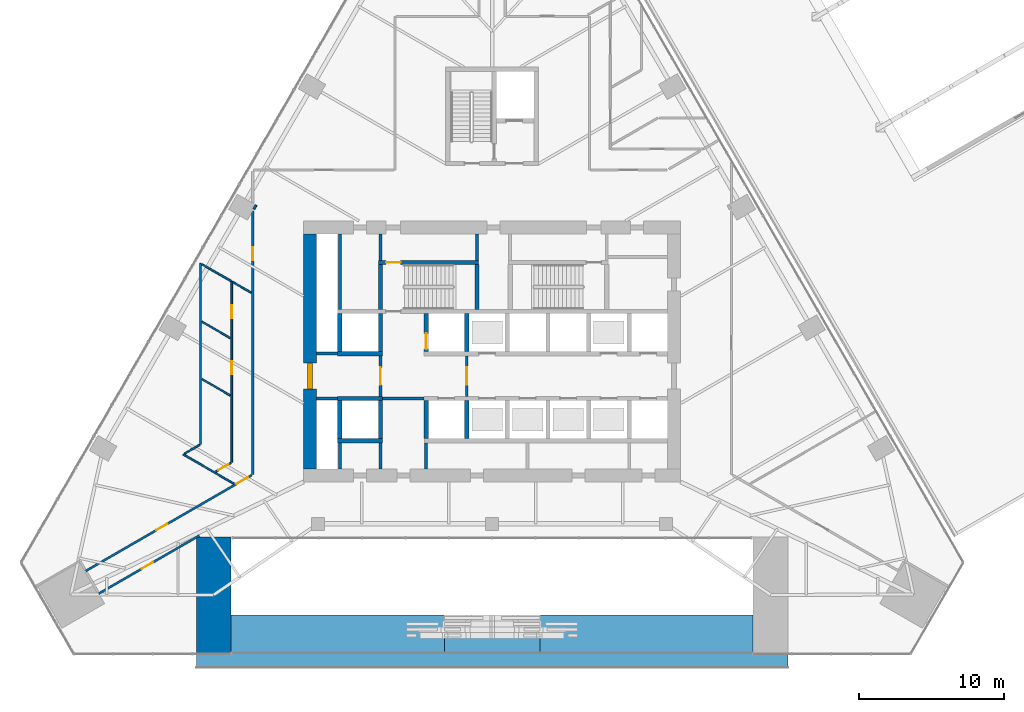
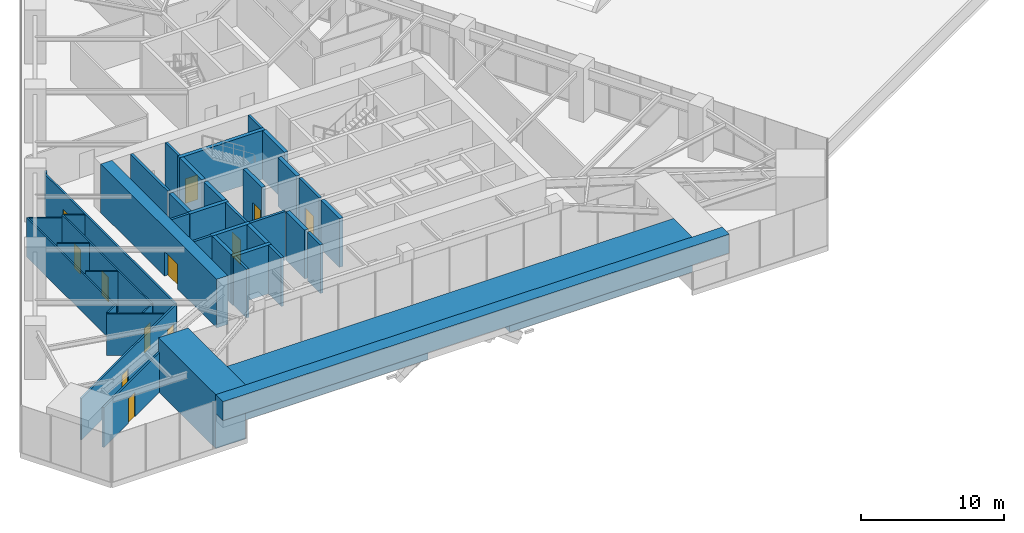
# One storey, part 18 of 23: 44 walls, 12 doors, 12 openings.
"""IFC4 building model written with IfcOpenShell, lengths in metres."""

from ifc_helpers import new_model, si_unit, direction, frame, frame_2d, origin, place, context, subcontext, project, spatial, rectangle, extrude, material, layer, layer_set, type_object, element, fill, save


model = new_model("IFC4")

# Units and contexts
model_context = context("Model", 3, precision=1e-05, world=origin(), true_north=direction((0.0, 1.0)))
body_context = subcontext(model_context, "Body", "Model", "MODEL_VIEW")
ifc_project = project(units=[si_unit("LENGTHUNIT", "METRE"), si_unit("AREAUNIT", "SQUARE_METRE"), si_unit("VOLUMEUNIT", "CUBIC_METRE"), si_unit("PLANEANGLEUNIT", "RADIAN"), si_unit("MASSUNIT", "GRAM", prefix="KILO")], contexts=[model_context])

# Site, building, storey
site_placement = place(None, origin())
site = spatial("IfcSite", under=ifc_project, at=site_placement, CompositionType="ELEMENT")
building_placement = place(site_placement, origin())
building = spatial("IfcBuilding", under=site, at=building_placement, Name="Firuza Gate Tower and Library", CompositionType="ELEMENT")
storey_placement = place(building_placement, frame((0.0, 0.0, 26.39990234375)))
storey = spatial("IfcBuildingStorey", under=building, at=storey_placement, Name="L05", CompositionType="ELEMENT", Elevation=26.39990234375)

# Walls
ifc_material_1 = material(Name="Plasterboard on steel studs", Category="steel")
ifc_layer_1 = layer(ifc_material_1, 0.199951171875)
ifc_layer_set_1 = layer_set([ifc_layer_1], Name="Core partition 200 EI 120")
wall_type_1 = type_object("IfcWallType", Name="Core partition 200 EI 120", PredefinedType="PARTITIONING", material=ifc_layer_set_1)
wall_1_placement = place(storey_placement, frame((62.89990234375, 71.75, 0.0), z_axis=(0.0, 0.0, 1.0), x_axis=(1.0, 0.0, 0.0)))
element("IfcWall", 1, at=wall_1_placement, inside=storey, type_object=wall_type_1, Name="Core partition L05 1", PredefinedType="PARTITIONING", context=body_context, shape_type="SweptSolid", body=[
    extrude(rectangle(XDim=1.4501953125, YDim=0.199951171875, at=frame_2d((0.72509765625, 0.0))), origin(), (0.0, 0.0, 1.0), 4.150146484375),
])
wall_2_placement = place(storey_placement, frame((67.449951171875, 71.75, 0.0), z_axis=(0.0, 0.0, 1.0), x_axis=(1.0, 0.0, 0.0)))
element("IfcWall", 2, at=wall_2_placement, inside=storey, type_object=wall_type_1, Name="Core partition L05 2", PredefinedType="PARTITIONING", context=body_context, shape_type="SweptSolid", body=[
    extrude(rectangle(XDim=2.85009765625, YDim=0.199951171875, at=frame_2d((1.425048828125, 0.0))), origin(), (0.0, 0.0, 1.0), 4.150146484375),
])
wall_3_placement = place(storey_placement, frame((62.89990234375, 74.85009765625, 0.0), z_axis=(0.0, 0.0, 1.0), x_axis=(1.0, 0.0, 0.0)))
element("IfcWall", 3, at=wall_3_placement, inside=storey, type_object=wall_type_1, Name="Core partition L05 3", PredefinedType="PARTITIONING", context=body_context, shape_type="SweptSolid", body=[
    extrude(rectangle(XDim=1.4501953125, YDim=0.199951171875, at=frame_2d((0.72509765625, 0.0))), origin(), (0.0, 0.0, 1.0), 4.150146484375),
])
wall_4_placement = place(storey_placement, frame((64.5, 66.89990234375, 0.0), z_axis=(0.0, 0.0, 1.0), x_axis=(0.0, 1.0, 0.0)))
element("IfcWall", 4, at=wall_4_placement, inside=storey, type_object=wall_type_1, Name="Core partition L05 5", PredefinedType="PARTITIONING", context=body_context, shape_type="SweptSolid", body=[
    extrude(rectangle(XDim=1.800048828125, YDim=0.199951171875, at=frame_2d((0.89990234375, 0.0))), origin(), (0.0, 0.0, 1.0), 4.150146484375),
])
wall_5_placement = place(storey_placement, frame((64.5, 77.89990234375, 0.0), z_axis=(0.0, 0.0, 1.0), x_axis=(0.0, 1.0, 0.0)))
element("IfcWall", 5, at=wall_5_placement, inside=storey, type_object=wall_type_1, Name="Core partition L05 6", PredefinedType="PARTITIONING", context=body_context, shape_type="SweptSolid", body=[
    extrude(rectangle(XDim=5.2001953125, YDim=0.199951171875, at=frame_2d((2.60009765625, 0.0))), origin(), (0.0, 0.0, 1.0), 4.150146484375),
])
for number, where, z_axis, x_axis, name in (
    (6, (67.300048828125, 66.89990234375, 0.0), (0.0, 0.0, 1.0), (0.0, 1.0, 0.0), "Core partition L05 7"),
    (7, (70.449951171875, 66.89990234375, 0.0), (0.0, 0.0, 1.0), (0.0, 1.0, 0.0), "Core partition L05 10"),
):
    element("IfcWall", number, at=place(storey_placement, frame(where, z_axis=z_axis, x_axis=x_axis)), inside=storey, type_object=wall_type_1, Name=name, PredefinedType="PARTITIONING", context=body_context, shape_type="SweptSolid", body=[
        extrude(rectangle(XDim=1.800048828125, YDim=0.199951171875, at=frame_2d((0.89990234375, 0.0))), origin(), (0.0, 0.0, 1.0), 4.150146484375),
    ])

# Wall, opening, door
ifc_material_2 = material(Name="Plasterboard on steel studs", Category="steel")
ifc_layer_2 = layer(ifc_material_2, 0.199951171875)
ifc_layer_set_2 = layer_set([ifc_layer_2], Name="Core partition 200 EI 60")
wall_type_2 = type_object("IfcWallType", Name="Core partition 200 EI 60", PredefinedType="PARTITIONING", material=ifc_layer_set_2)
wall_6_placement = place(storey_placement, frame((67.300048828125, 71.89990234375, 0.0), z_axis=(0.0, 0.0, 1.0), x_axis=(0.0, 1.0, 0.0)))
wall_6 = element("IfcWall", 8, at=wall_6_placement, inside=storey, type_object=wall_type_2, Name="Core partition L05 8", PredefinedType="PARTITIONING", context=body_context, shape_type="SweptSolid", body=[
    extrude(rectangle(XDim=2.800048828125, YDim=0.199951171875, at=frame_2d((1.39990234375, 0.0))), origin(), (0.0, 0.0, 1.0), 4.150146484375),
])
opening_1_placement = place(wall_6_placement, frame((0.800048828125, 0.0, 0.0)))
opening_1 = element("IfcOpeningElement", 9, at=opening_1_placement, cuts=wall_6, Name="Opening L05-K21", PredefinedType="OPENING", context=body_context, shape_type="SweptSolid", body=[
    extrude(rectangle(XDim=1.199951171875, YDim=2.10009765625, at=frame_2d((0.60009765625, 1.050048828125))), frame((0.0, 0.10986328125, 0.0), z_axis=(0.0, -1.0, 0.0), x_axis=(1.0, 0.0, 0.0)), (0.0, 0.0, 1.0), 0.219970703125),
])
ifc_material_3 = material(Name="Steel", Category="steel")
door_type_1 = type_object("IfcDoorType", Name="Fire door 1200x2100 FD90S", OperationType="NOTDEFINED", PredefinedType="DOOR", material=ifc_material_3)
door_1_placement = place(opening_1_placement, origin())
door_1 = element("IfcDoor", 10, at=door_1_placement, inside=storey, type_object=door_type_1, Name="Door L05-K21", OperationType="SINGLE_SWING_RIGHT", OverallHeight=2.10009765625, OverallWidth=1.199951171875, PredefinedType="DOOR", context=body_context, shape_type="SweptSolid", body=[
    extrude(rectangle(XDim=1.199951171875, YDim=2.10009765625, at=frame_2d((0.60009765625, 1.050048828125))), frame((0.0, 0.02490234375, 0.0), z_axis=(0.0, -1.0, 0.0), x_axis=(1.0, 0.0, 0.0)), (0.0, 0.0, 1.0), 0.050048828125),
])
fill(opening_1, door_1)

# Wall
wall_7_placement = place(storey_placement, frame((67.300048828125, 81.280029296875, 0.0), z_axis=(0.0, 0.0, 1.0), x_axis=(0.0, 1.0, 0.0)))
element("IfcWall", 11, at=wall_7_placement, inside=storey, type_object=wall_type_2, Name="Core partition L05 9", PredefinedType="PARTITIONING", context=body_context, shape_type="SweptSolid", body=[
    extrude(rectangle(XDim=1.820068359375, YDim=0.199951171875, at=frame_2d((0.91015625, 0.0))), origin(), (0.0, 0.0, 1.0), 4.150146484375),
])

# Wall, opening, door
wall_8_placement = place(storey_placement, frame((73.25, 71.89990234375, 0.0), z_axis=(0.0, 0.0, 1.0), x_axis=(0.0, 1.0, 0.0)))
wall_8 = element("IfcWall", 12, at=wall_8_placement, inside=storey, type_object=wall_type_2, Name="Core partition L05 11", PredefinedType="PARTITIONING", context=body_context, shape_type="SweptSolid", body=[
    extrude(rectangle(XDim=2.800048828125, YDim=0.199951171875, at=frame_2d((1.39990234375, 0.0))), origin(), (0.0, 0.0, 1.0), 4.150146484375),
])
opening_2_placement = place(wall_8_placement, frame((0.800048828125, 0.0, 0.0)))
opening_2 = element("IfcOpeningElement", 13, at=opening_2_placement, cuts=wall_8, Name="Opening L05-K20", PredefinedType="OPENING", context=body_context, shape_type="SweptSolid", body=[
    extrude(rectangle(XDim=1.199951171875, YDim=2.10009765625, at=frame_2d((0.60009765625, 1.050048828125))), frame((0.0, 0.10986328125, 0.0), z_axis=(0.0, -1.0, 0.0), x_axis=(1.0, 0.0, 0.0)), (0.0, 0.0, 1.0), 0.219970703125),
])
door_2_placement = place(opening_2_placement, origin())
door_2 = element("IfcDoor", 14, at=door_2_placement, inside=storey, type_object=door_type_1, Name="Door L05-K20", OperationType="SINGLE_SWING_LEFT", OverallHeight=2.10009765625, OverallWidth=1.199951171875, PredefinedType="DOOR", context=body_context, shape_type="SweptSolid", body=[
    extrude(rectangle(XDim=1.199951171875, YDim=2.10009765625, at=frame_2d((0.60009765625, 1.050048828125))), frame((0.0, 0.02490234375, 0.0), z_axis=(0.0, -1.0, 0.0), x_axis=(1.0, 0.0, 0.0)), (0.0, 0.0, 1.0), 0.050048828125),
])
fill(opening_2, door_2)

# Walls
wall_9_placement = place(storey_placement, frame((73.9599609375, 81.280029296875, 0.0), z_axis=(0.0, 0.0, 1.0), x_axis=(0.0, 1.0, 0.0)))
element("IfcWall", 15, at=wall_9_placement, inside=storey, type_object=wall_type_2, Name="Core partition L05 12", PredefinedType="PARTITIONING", context=body_context, shape_type="SweptSolid", body=[
    extrude(rectangle(XDim=1.820068359375, YDim=0.199951171875, at=frame_2d((0.91015625, 0.0))), origin(), (0.0, 0.0, 1.0), 4.150146484375),
])
ifc_material_4 = material(Name="Concrete C80/95", Category="concrete")
ifc_layer_3 = layer(ifc_material_4, 0.300048828125)
ifc_layer_set_3 = layer_set([ifc_layer_3], Name="Core wall 300 C80/95")
wall_type_3 = type_object("IfcWallType", Name="Core wall 300 C80/95", PredefinedType="SHEAR", material=ifc_layer_set_3)
for number, where, z_axis, x_axis, name in (
    (16, (64.35009765625, 68.85009765625, 0.0), (0.0, 0.0, 1.0), (1.0, 0.0, 0.0), "Core wall L05 5"),
    (17, (64.35009765625, 71.75, 0.0), (0.0, 0.0, 1.0), (1.0, 0.0, 0.0), "Core wall L05 7"),
    (18, (64.35009765625, 74.85009765625, 0.0), (0.0, 0.0, 1.0), (1.0, 0.0, 0.0), "Core wall L05 9"),
):
    element("IfcWall", number, at=place(storey_placement, frame(where, z_axis=z_axis, x_axis=x_axis)), inside=storey, type_object=wall_type_3, Name=name, PredefinedType="SHEAR", context=body_context, shape_type="SweptSolid", body=[
        extrude(rectangle(XDim=3.099853515625, YDim=0.300048828125, at=frame_2d((1.5498046875, 0.0))), origin(), (0.0, 0.0, 1.0), 4.150146484375),
    ])
for number, where, z_axis, x_axis, name in (
    (19, (64.5, 69.0, 0.0), (0.0, 0.0, 1.0), (0.0, 1.0, 0.0), "Core wall L05 11"),
    (20, (64.5, 75.0, 0.0), (0.0, 0.0, 1.0), (0.0, 1.0, 0.0), "Core wall L05 12"),
    (21, (67.300048828125, 69.0, 0.0), (0.0, 0.0, 1.0), (0.0, 1.0, 0.0), "Core wall L05 13"),
    (22, (67.300048828125, 75.0, 0.0), (0.0, 0.0, 1.0), (0.0, 1.0, 0.0), "Core wall L05 14"),
    (23, (70.449951171875, 69.0, 0.0), (0.0, 0.0, 1.0), (0.0, 1.0, 0.0), "Core wall L05 15"),
):
    element("IfcWall", number, at=place(storey_placement, frame(where, z_axis=z_axis, x_axis=x_axis)), inside=storey, type_object=wall_type_3, Name=name, PredefinedType="SHEAR", context=body_context, shape_type="SweptSolid", body=[
        extrude(rectangle(XDim=2.60009765625, YDim=0.300048828125, at=frame_2d((1.300048828125, 0.0))), origin(), (0.0, 0.0, 1.0), 4.150146484375),
    ])

# Wall, opening, door
wall_10_placement = place(storey_placement, frame((70.449951171875, 75.0, 0.0), z_axis=(0.0, 0.0, 1.0), x_axis=(0.0, 1.0, 0.0)))
wall_10 = element("IfcWall", 24, at=wall_10_placement, inside=storey, type_object=wall_type_3, Name="Core wall L05 16", PredefinedType="SHEAR", context=body_context, shape_type="SweptSolid", body=[
    extrude(rectangle(XDim=2.60009765625, YDim=0.300048828125, at=frame_2d((1.300048828125, 0.0))), origin(), (0.0, 0.0, 1.0), 4.150146484375),
])
opening_3_placement = place(wall_10_placement, frame((0.14990234375, 0.0, 0.0)))
opening_3 = element("IfcOpeningElement", 25, at=opening_3_placement, cuts=wall_10, Name="Opening LD-FF2-L05", PredefinedType="OPENING", context=body_context, shape_type="SweptSolid", body=[
    extrude(rectangle(XDim=1.10009765625, YDim=2.10009765625, at=frame_2d((0.550048828125, 1.050048828125))), frame((0.0, 0.16015625, 0.0), z_axis=(0.0, -1.0, 0.0), x_axis=(1.0, 0.0, 0.0)), (0.0, 0.0, 1.0), 0.320068359375),
])
ifc_material_5 = material(Name="Stainless steel", Category="steel")
door_type_2 = type_object("IfcDoorType", Name="Lift landing door 1100x2100", OperationType="DOUBLE_DOOR_SLIDING", PredefinedType="DOOR", material=ifc_material_5)
door_3_placement = place(opening_3_placement, origin())
door_3 = element("IfcDoor", 26, at=door_3_placement, inside=storey, type_object=door_type_2, Name="Landing door FF2 L05", OperationType="DOUBLE_DOOR_SLIDING", OverallHeight=2.10009765625, OverallWidth=1.10009765625, PredefinedType="DOOR", context=body_context, shape_type="SweptSolid", body=[
    extrude(rectangle(XDim=1.10009765625, YDim=2.10009765625, at=frame_2d((0.550048828125, 1.050048828125))), frame((0.0, 0.02490234375, 0.0), z_axis=(0.0, -1.0, 0.0), x_axis=(1.0, 0.0, 0.0)), (0.0, 0.0, 1.0), 0.050048828125),
])
fill(opening_3, door_3)

# Walls
for number, where, z_axis, x_axis, name in (
    (27, (73.25, 69.0, 0.0), (0.0, 0.0, 1.0), (0.0, 1.0, 0.0), "Core wall L05 17"),
    (28, (73.25, 75.0, 0.0), (0.0, 0.0, 1.0), (0.0, 1.0, 0.0), "Core wall L05 18"),
):
    element("IfcWall", number, at=place(storey_placement, frame(where, z_axis=z_axis, x_axis=x_axis)), inside=storey, type_object=wall_type_3, Name=name, PredefinedType="SHEAR", context=body_context, shape_type="SweptSolid", body=[
        extrude(rectangle(XDim=2.60009765625, YDim=0.300048828125, at=frame_2d((1.300048828125, 0.0))), origin(), (0.0, 0.0, 1.0), 4.150146484375),
    ])

# Wall, opening, door
wall_11_placement = place(storey_placement, frame((67.14990234375, 81.1298828125, 0.0), z_axis=(0.0, 0.0, 1.0), x_axis=(1.0, 0.0, 0.0)))
wall_11 = element("IfcWall", 29, at=wall_11_placement, inside=storey, type_object=wall_type_3, Name="Core wall L05 28", PredefinedType="SHEAR", context=body_context, shape_type="SweptSolid", body=[
    extrude(rectangle(XDim=6.91015625, YDim=0.300048828125, at=frame_2d((3.455078125, 0.0))), origin(), (0.0, 0.0, 1.0), 4.150146484375),
])
opening_4_placement = place(wall_11_placement, frame((0.544921875, 0.0, 0.0)))
opening_4 = element("IfcOpeningElement", 30, at=opening_4_placement, cuts=wall_11, Name="Opening L05-K13", PredefinedType="OPENING", context=body_context, shape_type="SweptSolid", body=[
    extrude(rectangle(XDim=1.0, YDim=2.10009765625, at=frame_2d((0.5, 1.050048828125))), frame((0.0, 0.16015625, 0.0), z_axis=(0.0, -1.0, 0.0), x_axis=(1.0, 0.0, 0.0)), (0.0, 0.0, 1.0), 0.320068359375),
])
ifc_material_6 = material(Name="Steel", Category="steel")
door_type_3 = type_object("IfcDoorType", Name="Fire door 1000x2100 FD90", OperationType="NOTDEFINED", PredefinedType="DOOR", material=ifc_material_6)
door_4_placement = place(opening_4_placement, origin())
door_4 = element("IfcDoor", 31, at=door_4_placement, inside=storey, type_object=door_type_3, Name="Door L05-K13", OperationType="SINGLE_SWING_RIGHT", OverallHeight=2.10009765625, OverallWidth=1.0, PredefinedType="DOOR", context=body_context, shape_type="SweptSolid", body=[
    extrude(rectangle(XDim=1.0, YDim=2.10009765625, at=frame_2d((0.5, 1.050048828125))), frame((0.0, 0.02490234375, 0.0), z_axis=(0.0, -1.0, 0.0), x_axis=(1.0, 0.0, 0.0)), (0.0, 0.0, 1.0), 0.050048828125),
])
fill(opening_4, door_4)

# Walls
for number, where, z_axis, x_axis, name in (
    (32, (67.300048828125, 77.89990234375, 0.0), (0.0, 0.0, 1.0), (0.0, 1.0, 0.0), "Core wall L05 30"),
    (33, (73.9599609375, 77.89990234375, 0.0), (0.0, 0.0, 1.0), (0.0, 1.0, 0.0), "Core wall L05 31"),
):
    element("IfcWall", number, at=place(storey_placement, frame(where, z_axis=z_axis, x_axis=x_axis)), inside=storey, type_object=wall_type_3, Name=name, PredefinedType="SHEAR", context=body_context, shape_type="SweptSolid", body=[
        extrude(rectangle(XDim=3.080078125, YDim=0.300048828125, at=frame_2d((1.5400390625, 0.0))), origin(), (0.0, 0.0, 1.0), 4.150146484375),
    ])

# Wall, opening, door
ifc_material_7 = material(Name="Concrete C80/95", Category="concrete")
ifc_layer_4 = layer(ifc_material_7, 0.89990234375)
ifc_layer_set_4 = layer_set([ifc_layer_4], Name="Core wall 900 C80/95")
wall_type_4 = type_object("IfcWallType", Name="Core wall 900 C80/95", PredefinedType="SHEAR", material=ifc_layer_set_4)
wall_12_placement = place(storey_placement, frame((62.449951171875, 66.89990234375, 0.0), z_axis=(0.0, 0.0, 1.0), x_axis=(0.0, 1.0, 0.0)))
wall_12 = element("IfcWall", 34, at=wall_12_placement, inside=storey, type_object=wall_type_4, Name="Core wall L05 3", PredefinedType="SHEAR", context=body_context, shape_type="SweptSolid", body=[
    extrude(rectangle(XDim=16.2001953125, YDim=0.89990234375, at=frame_2d((8.10009765625, 0.0))), origin(), (0.0, 0.0, 1.0), 4.150146484375),
])
opening_5_placement = place(wall_12_placement, frame((5.5, 0.0, 0.0)))
opening_5 = element("IfcOpeningElement", 35, at=opening_5_placement, cuts=wall_12, Name="Opening L05-K22", PredefinedType="OPENING", context=body_context, shape_type="SweptSolid", body=[
    extrude(rectangle(XDim=1.800048828125, YDim=2.10009765625, at=frame_2d((0.89990234375, 1.050048828125))), frame((0.0, 0.4599609375, 0.0), z_axis=(0.0, -1.0, 0.0), x_axis=(1.0, 0.0, 0.0)), (0.0, 0.0, 1.0), 0.919921875),
])
ifc_material_8 = material(Name="Steel", Category="steel")
door_type_4 = type_object("IfcDoorType", Name="Fire door 1800x2100 FD30S", OperationType="NOTDEFINED", PredefinedType="DOOR", material=ifc_material_8)
door_5_placement = place(opening_5_placement, origin())
door_5 = element("IfcDoor", 36, at=door_5_placement, inside=storey, type_object=door_type_4, Name="Door L05-K22", OperationType="SINGLE_SWING_LEFT", OverallHeight=2.10009765625, OverallWidth=1.800048828125, PredefinedType="DOOR", context=body_context, shape_type="SweptSolid", body=[
    extrude(rectangle(XDim=1.800048828125, YDim=2.10009765625, at=frame_2d((0.89990234375, 1.050048828125))), frame((0.0, 0.169921875, 0.0), z_axis=(0.0, -1.0, 0.0), x_axis=(1.0, 0.0, 0.0)), (0.0, 0.0, 1.0), 0.33984375),
])
fill(opening_5, door_5)

ifc_material_9 = material(Name="Gypsum board partition")
ifc_layer_5 = layer(ifc_material_9, 0.14990234375)
ifc_layer_set_5 = layer_set([ifc_layer_5], Name="Corridor wall 150 double board on steel studs")
wall_type_5 = type_object("IfcWallType", Name="Corridor wall 150 double board on steel studs", PredefinedType="PARTITIONING", material=ifc_layer_set_5)
wall_13_placement = place(storey_placement, frame((54.813720703125, 62.306396484375, 0.0), z_axis=(0.0, 0.0, 1.0), x_axis=(-0.866015941479, -0.500016388836, 0.0)))
wall_13 = element("IfcWall", 37, at=wall_13_placement, inside=storey, type_object=wall_type_5, Name="f:L05:w008", PredefinedType="PARTITIONING", context=body_context, shape_type="SweptSolid", body=[
    extrude(rectangle(XDim=8.004638671875, YDim=0.14990234375, at=frame_2d((4.00244140625, 0.0))), origin(), (0.0, 0.0, 1.0), 3.397216796875),
])
opening_6_placement = place(wall_13_placement, frame((3.687255859375, 0.0, 0.0)))
opening_6 = element("IfcOpeningElement", 38, at=opening_6_placement, cuts=wall_13, Name="Opening L05-05", PredefinedType="OPENING", context=body_context, shape_type="SweptSolid", body=[
    extrude(rectangle(XDim=0.89990234375, YDim=2.10009765625, at=frame_2d((0.449951171875, 1.050048828125))), frame((0.0, 0.0849609375, 0.0), z_axis=(0.0, -1.0, 0.0), x_axis=(1.0, 0.0, 0.0)), (0.0, 0.0, 1.0), 0.169921875),
])
ifc_material_10 = material(Name="Steel door and timber leaf", Category="steel")
door_type_5 = type_object("IfcDoorType", Name="Fire door 900 x 2100 steel frame, timber leaf", OperationType="NOTDEFINED", PredefinedType="DOOR", material=ifc_material_10)
door_6_placement = place(opening_6_placement, origin())
door_6 = element("IfcDoor", 39, at=door_6_placement, inside=storey, type_object=door_type_5, Name="f:L05:d005", OperationType="SINGLE_SWING_RIGHT", OverallHeight=2.10009765625, OverallWidth=0.89990234375, PredefinedType="DOOR", context=body_context, shape_type="SweptSolid", body=[
    extrude(rectangle(XDim=0.89990234375, YDim=2.10009765625, at=frame_2d((0.449951171875, 1.050048828125))), frame((0.0, 0.02490234375, 0.0), z_axis=(0.0, -1.0, 0.0), x_axis=(1.0, 0.0, 0.0)), (0.0, 0.0, 1.0), 0.050048828125),
])
fill(opening_6, door_6)

# Wall, openings, doors
wall_14_placement = place(storey_placement, frame((46.98095703125, 59.862548828125, 0.0), z_axis=(0.0, 0.0, 1.0), x_axis=(0.866027754727, 0.499995928025, 0.0)))
wall_14 = element("IfcWall", 40, at=wall_14_placement, inside=storey, type_object=wall_type_5, Name="f:L05:w009", PredefinedType="PARTITIONING", context=body_context, shape_type="SweptSolid", body=[
    extrude(rectangle(XDim=13.21435546875, YDim=0.14990234375, at=frame_2d((6.607177734375, 0.0))), origin(), (0.0, 0.0, 1.0), 3.550048828125),
])
opening_7_placement = place(wall_14_placement, frame((5.609130859375, 0.0, 0.0)))
opening_7 = element("IfcOpeningElement", 41, at=opening_7_placement, cuts=wall_14, Name="Opening L05-06", PredefinedType="OPENING", context=body_context, shape_type="SweptSolid", body=[
    extrude(rectangle(XDim=0.89990234375, YDim=2.10009765625, at=frame_2d((0.449951171875, 1.050048828125))), frame((0.0, 0.0849609375, 0.0), z_axis=(0.0, -1.0, 0.0), x_axis=(1.0, 0.0, 0.0)), (0.0, 0.0, 1.0), 0.169921875),
])
opening_8_placement = place(wall_14_placement, frame((12.012939453125, 0.0, 0.0)))
opening_8 = element("IfcOpeningElement", 42, at=opening_8_placement, cuts=wall_14, Name="Opening L05-07", PredefinedType="OPENING", context=body_context, shape_type="SweptSolid", body=[
    extrude(rectangle(XDim=0.89990234375, YDim=2.10009765625, at=frame_2d((0.449951171875, 1.050048828125))), frame((0.0, 0.0849609375, 0.0), z_axis=(0.0, -1.0, 0.0), x_axis=(1.0, 0.0, 0.0)), (0.0, 0.0, 1.0), 0.169921875),
])
door_7_placement = place(opening_7_placement, origin())
door_7 = element("IfcDoor", 43, at=door_7_placement, inside=storey, type_object=door_type_5, Name="f:L05:d006", OperationType="SINGLE_SWING_LEFT", OverallHeight=2.10009765625, OverallWidth=0.89990234375, PredefinedType="DOOR", context=body_context, shape_type="SweptSolid", body=[
    extrude(rectangle(XDim=0.89990234375, YDim=2.10009765625, at=frame_2d((0.449951171875, 1.050048828125))), frame((0.0, 0.02490234375, 0.0), z_axis=(0.0, -1.0, 0.0), x_axis=(1.0, 0.0, 0.0)), (0.0, 0.0, 1.0), 0.050048828125),
])
fill(opening_7, door_7)
door_8_placement = place(opening_8_placement, origin())
door_8 = element("IfcDoor", 44, at=door_8_placement, inside=storey, type_object=door_type_5, Name="f:L05:d007", OperationType="SINGLE_SWING_LEFT", OverallHeight=2.10009765625, OverallWidth=0.89990234375, PredefinedType="DOOR", context=body_context, shape_type="SweptSolid", body=[
    extrude(rectangle(XDim=0.89990234375, YDim=2.10009765625, at=frame_2d((0.449951171875, 1.050048828125))), frame((0.0, 0.02490234375, 0.0), z_axis=(0.0, -1.0, 0.0), x_axis=(1.0, 0.0, 0.0)), (0.0, 0.0, 1.0), 0.050048828125),
])
fill(opening_8, door_8)

# Wall
wall_15_placement = place(storey_placement, frame((58.57470703125, 84.820556640625, 0.0), z_axis=(0.0, 0.0, 1.0), x_axis=(0.500317227461, 0.865842174941, 0.0)))
element("IfcWall", 45, at=wall_15_placement, inside=storey, type_object=wall_type_5, Name="f:L05:w018", PredefinedType="PARTITIONING", context=body_context, shape_type="SweptSolid", body=[
    extrude(rectangle(XDim=0.307861328125, YDim=0.14990234375, at=frame_2d((0.15380859375, 0.0))), origin(), (0.0, 0.0, 1.0), 3.550048828125),
])

# Wall, opening, door
wall_16_placement = place(storey_placement, frame((58.5, 66.512939453125, 0.0), z_axis=(0.0, 0.0, 1.0), x_axis=(0.0, 1.0, 0.0)))
wall_16 = element("IfcWall", 46, at=wall_16_placement, inside=storey, type_object=wall_type_5, Name="f:L05:w028", PredefinedType="PARTITIONING", context=body_context, shape_type="SweptSolid", body=[
    extrude(rectangle(XDim=18.17724609375, YDim=0.14990234375, at=frame_2d((9.088623046875, 0.0))), origin(), (0.0, 0.0, 1.0), 3.550048828125),
])
opening_9_placement = place(wall_16_placement, frame((14.7724609375, 0.0, 0.0)))
opening_9 = element("IfcOpeningElement", 47, at=opening_9_placement, cuts=wall_16, Name="Opening L05-12", PredefinedType="OPENING", context=body_context, shape_type="SweptSolid", body=[
    extrude(rectangle(XDim=0.89990234375, YDim=2.10009765625, at=frame_2d((0.449951171875, 1.050048828125))), frame((0.0, 0.0849609375, 0.0), z_axis=(0.0, -1.0, 0.0), x_axis=(1.0, 0.0, 0.0)), (0.0, 0.0, 1.0), 0.169921875),
])
door_9_placement = place(opening_9_placement, origin())
door_9 = element("IfcDoor", 48, at=door_9_placement, inside=storey, type_object=door_type_5, Name="f:L05:d012", OperationType="SINGLE_SWING_RIGHT", OverallHeight=2.10009765625, OverallWidth=0.89990234375, PredefinedType="DOOR", context=body_context, shape_type="SweptSolid", body=[
    extrude(rectangle(XDim=0.89990234375, YDim=2.10009765625, at=frame_2d((0.449951171875, 1.050048828125))), frame((0.0, 0.02490234375, 0.0), z_axis=(0.0, -1.0, 0.0), x_axis=(1.0, 0.0, 0.0)), (0.0, 0.0, 1.0), 0.050048828125),
])
fill(opening_9, door_9)

# Walls
ifc_material_11 = material(Name="Concrete C80/95", Category="concrete")
ifc_layer_6 = layer(ifc_material_11, 2.39990234375)
ifc_layer_set_6 = layer_set([ifc_layer_6], Name="Iwan wall 2400 C80/95")
wall_type_6 = type_object("IfcWallType", Name="Iwan wall 2400 C80/95", PredefinedType="SHEAR", material=ifc_layer_set_6)
wall_17_placement = place(storey_placement, frame((55.800048828125, 54.21533203125, 0.0), z_axis=(0.0, 0.0, 1.0), x_axis=(0.0, 1.0, 0.0)))
element("IfcWall", 49, at=wall_17_placement, inside=storey, type_object=wall_type_6, Name="Iwan wall W L05", PredefinedType="SHEAR", context=body_context, shape_type="SweptSolid", body=[
    extrude(rectangle(XDim=8.0, YDim=2.39990234375, at=frame_2d((4.0, 0.0))), origin(), (0.0, 0.0, 1.0), 4.60009765625),
])
ifc_material_12 = material(Name="Concrete C40/50", Category="concrete")
ifc_layer_7 = layer(ifc_material_12, 1.0)
ifc_layer_set_7 = layer_set([ifc_layer_7], Name="Pishtaq frame wall 1000")
wall_type_7 = type_object("IfcWallType", Name="Pishtaq frame wall 1000", PredefinedType="SOLIDWALL", material=ifc_layer_set_7)
wall_18_placement = place(storey_placement, frame((54.60009765625, 53.71533203125, 3.0), z_axis=(0.0, 0.0, 1.0), x_axis=(1.0, 0.0, 0.0)))
element("IfcWall", 50, at=wall_18_placement, inside=storey, type_object=wall_type_7, Name="Pishtaq frame cornice", PredefinedType="SOLIDWALL", context=body_context, shape_type="SweptSolid", body=[
    extrude(rectangle(XDim=40.7998046875, YDim=1.0, at=frame_2d((20.39990234375, 0.0))), origin(), (0.0, 0.0, 1.0), 1.60009765625),
])
ifc_material_13 = material(Name="Concrete C60/75", Category="concrete")
ifc_layer_8 = layer(ifc_material_13, 2.60009765625)
ifc_layer_set_8 = layer_set([ifc_layer_8], Name="Portal wall 2600 C60/75")
wall_type_8 = type_object("IfcWallType", Name="Portal wall 2600 C60/75", PredefinedType="SOLIDWALL", material=ifc_layer_set_8)
for number, where, z_axis, x_axis, name in (
    (51, (57.0, 55.515380859375, 1.60009765625), (0.0, 0.0, 1.0), (1.0, 0.0, 0.0), "Portal wall course 15"),
    (52, (78.286376953125, 55.515380859375, 1.60009765625), (0.0, 0.0, 1.0), (1.0, 0.0, 0.0), "Portal wall course 15"),
):
    element("IfcWall", number, at=place(storey_placement, frame(where, z_axis=z_axis, x_axis=x_axis)), inside=storey, type_object=wall_type_8, Name=name, PredefinedType="SOLIDWALL", context=body_context, shape_type="SweptSolid", body=[
        extrude(rectangle(XDim=14.713623046875, YDim=2.60009765625, at=frame_2d((7.35693359375, 0.0))), origin(), (0.0, 0.0, 1.0), 2.0),
    ])
wall_19_placement = place(storey_placement, frame((57.0, 55.515380859375, 3.60009765625), z_axis=(0.0, 0.0, 1.0), x_axis=(1.0, 0.0, 0.0)))
element("IfcWall", 53, at=wall_19_placement, inside=storey, type_object=wall_type_8, Name="Portal lintel wall", PredefinedType="SOLIDWALL", context=body_context, shape_type="SweptSolid", body=[
    extrude(rectangle(XDim=36.0, YDim=2.60009765625, at=frame_2d((18.0, 0.0))), origin(), (0.0, 0.0, 1.0), 1.0),
])

# Wall, opening, door
ifc_material_14 = material(Name="Gypsum board partition")
ifc_layer_9 = layer(ifc_material_14, 0.1201171875)
ifc_layer_set_9 = layer_set([ifc_layer_9], Name="Wet-area partition 120 moisture-resistant board")
wall_type_9 = type_object("IfcWallType", Name="Wet-area partition 120 moisture-resistant board", PredefinedType="PARTITIONING", material=ifc_layer_set_9)
wall_20_placement = place(storey_placement, frame((55.944580078125, 66.7119140625, 0.0), z_axis=(0.0, 0.0, 1.0), x_axis=(0.866044131922, 0.499967560512, 0.0)))
wall_20 = element("IfcWall", 54, at=wall_20_placement, inside=storey, type_object=wall_type_9, Name="f:L05:w011", PredefinedType="PARTITIONING", context=body_context, shape_type="SweptSolid", body=[
    extrude(rectangle(XDim=1.20703125, YDim=0.1201171875, at=frame_2d((0.603515625, 0.0))), origin(), (0.0, 0.0, 1.0), 3.550048828125),
])
opening_10_placement = place(wall_20_placement, frame((0.20361328125, 0.0, 0.0)))
opening_10 = element("IfcOpeningElement", 55, at=opening_10_placement, cuts=wall_20, Name="Opening L05-08", PredefinedType="OPENING", context=body_context, shape_type="SweptSolid", body=[
    extrude(rectangle(XDim=0.800048828125, YDim=2.10009765625, at=frame_2d((0.39990234375, 1.050048828125))), frame((0.0, 0.070068359375, 0.0), z_axis=(0.0, -1.0, 0.0), x_axis=(1.0, 0.0, 0.0)), (0.0, 0.0, 1.0), 0.14013671875),
])
ifc_material_15 = material(Name="Timber door", Category="wood")
door_type_6 = type_object("IfcDoorType", Name="Door 800 x 2100 timber leaf", OperationType="NOTDEFINED", PredefinedType="DOOR", material=ifc_material_15)
door_10_placement = place(opening_10_placement, origin())
door_10 = element("IfcDoor", 56, at=door_10_placement, inside=storey, type_object=door_type_6, Name="f:L05:d008", OperationType="SINGLE_SWING_RIGHT", OverallHeight=2.10009765625, OverallWidth=0.800048828125, PredefinedType="DOOR", context=body_context, shape_type="SweptSolid", body=[
    extrude(rectangle(XDim=0.800048828125, YDim=2.10009765625, at=frame_2d((0.39990234375, 1.050048828125))), frame((0.0, 0.02490234375, 0.0), z_axis=(0.0, -1.0, 0.0), x_axis=(1.0, 0.0, 0.0)), (0.0, 0.0, 1.0), 0.050048828125),
])
fill(opening_10, door_10)

# Wall
wall_21_placement = place(storey_placement, frame((53.79541015625, 67.953857421875, 0.0), z_axis=(0.0, 0.0, 1.0), x_axis=(0.866054082991, 0.499950322867, 0.0)))
element("IfcWall", 57, at=wall_21_placement, inside=storey, type_object=wall_type_9, Name="f:L05:w012", PredefinedType="PARTITIONING", context=body_context, shape_type="SweptSolid", body=[
    extrude(rectangle(XDim=1.20556640625, YDim=0.1201171875, at=frame_2d((0.602783203125, 0.0))), origin(), (0.0, 0.0, 1.0), 3.550048828125),
])

# Wall, openings, doors
wall_22_placement = place(storey_placement, frame((57.050048828125, 79.82080078125, 0.0), z_axis=(0.0, 0.0, 1.0), x_axis=(0.0, -1.0, 0.0)))
wall_22 = element("IfcWall", 58, at=wall_22_placement, inside=storey, type_object=wall_type_9, Name="f:L05:w030", PredefinedType="PARTITIONING", context=body_context, shape_type="SweptSolid", body=[
    extrude(rectangle(XDim=12.470703125, YDim=0.1201171875, at=frame_2d((6.2353515625, 0.0))), origin(), (0.0, 0.0, 1.0), 3.550048828125),
])
opening_11_placement = place(wall_22_placement, frame((1.631103515625, 0.0, 0.0)))
opening_11 = element("IfcOpeningElement", 59, at=opening_11_placement, cuts=wall_22, Name="Opening L05-13", PredefinedType="OPENING", context=body_context, shape_type="SweptSolid", body=[
    extrude(rectangle(XDim=0.89990234375, YDim=2.10009765625, at=frame_2d((0.449951171875, 1.050048828125))), frame((0.0, 0.070068359375, 0.0), z_axis=(0.0, -1.0, 0.0), x_axis=(1.0, 0.0, 0.0)), (0.0, 0.0, 1.0), 0.14013671875),
])
opening_12_placement = place(wall_22_placement, frame((5.48828125, 0.0, 0.0)))
opening_12 = element("IfcOpeningElement", 60, at=opening_12_placement, cuts=wall_22, Name="Opening L05-14", PredefinedType="OPENING", context=body_context, shape_type="SweptSolid", body=[
    extrude(rectangle(XDim=0.89990234375, YDim=2.10009765625, at=frame_2d((0.449951171875, 1.050048828125))), frame((0.0, 0.070068359375, 0.0), z_axis=(0.0, -1.0, 0.0), x_axis=(1.0, 0.0, 0.0)), (0.0, 0.0, 1.0), 0.14013671875),
])
ifc_material_16 = material(Name="Timber door", Category="wood")
door_type_7 = type_object("IfcDoorType", Name="Door 900 x 2100 timber leaf", OperationType="NOTDEFINED", PredefinedType="DOOR", material=ifc_material_16)
door_11_placement = place(opening_11_placement, origin())
door_11 = element("IfcDoor", 61, at=door_11_placement, inside=storey, type_object=door_type_7, Name="f:L05:d013", OperationType="SINGLE_SWING_LEFT", OverallHeight=2.10009765625, OverallWidth=0.89990234375, PredefinedType="DOOR", context=body_context, shape_type="SweptSolid", body=[
    extrude(rectangle(XDim=0.89990234375, YDim=2.10009765625, at=frame_2d((0.449951171875, 1.050048828125))), frame((0.0, 0.02490234375, 0.0), z_axis=(0.0, -1.0, 0.0), x_axis=(1.0, 0.0, 0.0)), (0.0, 0.0, 1.0), 0.050048828125),
])
fill(opening_11, door_11)
door_12_placement = place(opening_12_placement, origin())
door_12 = element("IfcDoor", 62, at=door_12_placement, inside=storey, type_object=door_type_7, Name="f:L05:d014", OperationType="SINGLE_SWING_RIGHT", OverallHeight=2.10009765625, OverallWidth=0.89990234375, PredefinedType="DOOR", context=body_context, shape_type="SweptSolid", body=[
    extrude(rectangle(XDim=0.89990234375, YDim=2.10009765625, at=frame_2d((0.449951171875, 1.050048828125))), frame((0.0, 0.02490234375, 0.0), z_axis=(0.0, -1.0, 0.0), x_axis=(1.0, 0.0, 0.0)), (0.0, 0.0, 1.0), 0.050048828125),
])
fill(opening_12, door_12)

# Walls
wall_23_placement = place(storey_placement, frame((54.89990234375, 68.591796875, 0.0), z_axis=(0.0, 0.0, 1.0), x_axis=(0.0, 1.0, 0.0)))
element("IfcWall", 63, at=wall_23_placement, inside=storey, type_object=wall_type_9, Name="f:L05:w031", PredefinedType="PARTITIONING", context=body_context, shape_type="SweptSolid", body=[
    extrude(rectangle(XDim=12.469970703125, YDim=0.1201171875, at=frame_2d((6.23486328125, 0.0))), origin(), (0.0, 0.0, 1.0), 3.315185546875),
])
wall_24_placement = place(storey_placement, frame((58.390380859375, 79.047119140625, 0.0), z_axis=(0.0, 0.0, 1.0), x_axis=(-0.866039173598, 0.499976149225, 0.0)))
element("IfcWall", 64, at=wall_24_placement, inside=storey, type_object=wall_type_9, Name="f:L05:w036", PredefinedType="PARTITIONING", context=body_context, shape_type="SweptSolid", body=[
    extrude(rectangle(XDim=1.44384765625, YDim=0.1201171875, at=frame_2d((0.721923828125, 0.0))), origin(), (0.0, 0.0, 1.0), 3.550048828125),
])
for number, where, z_axis, x_axis, name in (
    (65, (56.955078125, 75.916259765625, 0.0), (0.0, 0.0, 1.0), (-0.866011396007, 0.500024261398, 0.0), "f:L05:w037"),
    (66, (56.95556640625, 71.957763671875, 0.0), (0.0, 0.0, 1.0), (-0.866011396007, 0.500024261398, 0.0), "f:L05:w038"),
):
    element("IfcWall", number, at=place(storey_placement, frame(where, z_axis=z_axis, x_axis=x_axis)), inside=storey, type_object=wall_type_9, Name=name, PredefinedType="PARTITIONING", context=body_context, shape_type="SweptSolid", body=[
        extrude(rectangle(XDim=2.26416015625, YDim=0.1201171875, at=frame_2d((1.132080078125, 0.0))), origin(), (0.0, 0.0, 1.0), 3.550048828125),
    ])
wall_25_placement = place(storey_placement, frame((57.1904296875, 65.883544921875, 0.0), z_axis=(0.0, 0.0, 1.0), x_axis=(-0.866027172066, 0.499996937234, 0.0)))
element("IfcWall", 67, at=wall_25_placement, inside=storey, type_object=wall_type_9, Name="f:L05:w039", PredefinedType="PARTITIONING", context=body_context, shape_type="SweptSolid", body=[
    extrude(rectangle(XDim=4.029296875, YDim=0.1201171875, at=frame_2d((2.0146484375, 0.0))), origin(), (0.0, 0.0, 1.0), 3.550048828125),
])
wall_26_placement = place(storey_placement, frame((57.005126953125, 79.846923828125, 0.0), z_axis=(0.0, 0.0, 1.0), x_axis=(-0.866047237151, 0.499962181593, 0.0)))
element("IfcWall", 68, at=wall_26_placement, inside=storey, type_object=wall_type_9, Name="f:L05:w044", PredefinedType="PARTITIONING", context=body_context, shape_type="SweptSolid", body=[
    extrude(rectangle(XDim=2.321533203125, YDim=0.1201171875, at=frame_2d((1.16064453125, 0.0))), origin(), (0.0, 0.0, 1.0), 3.315185546875),
])

save(model, "model.ifc")
